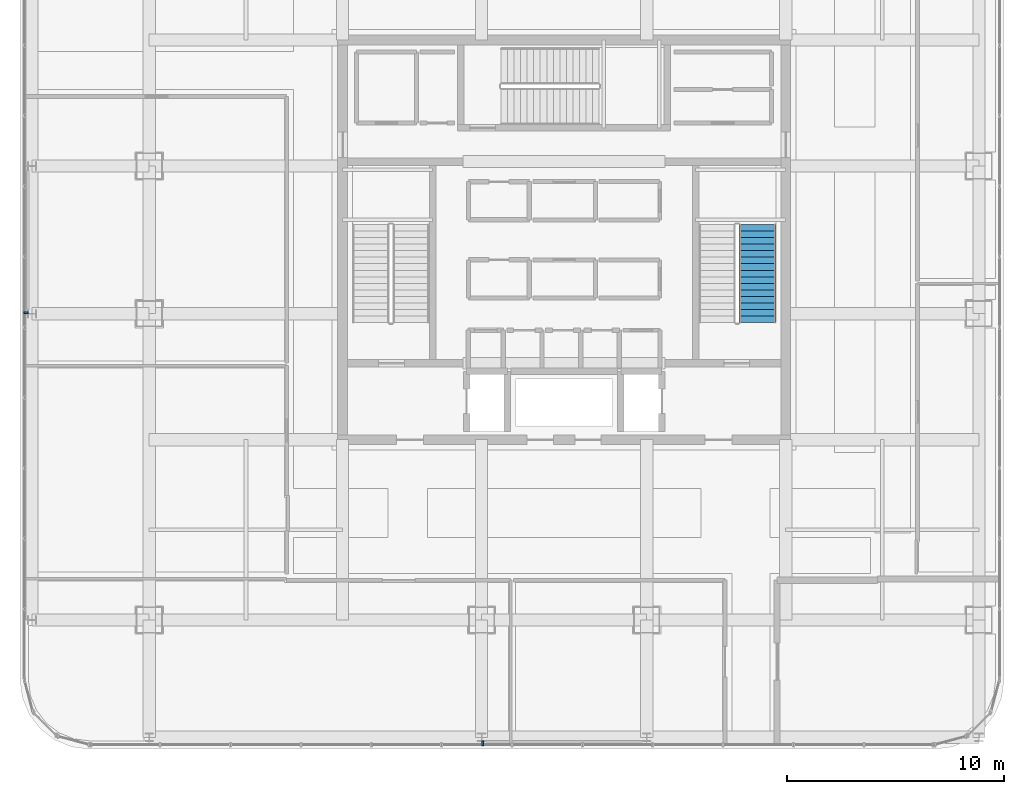
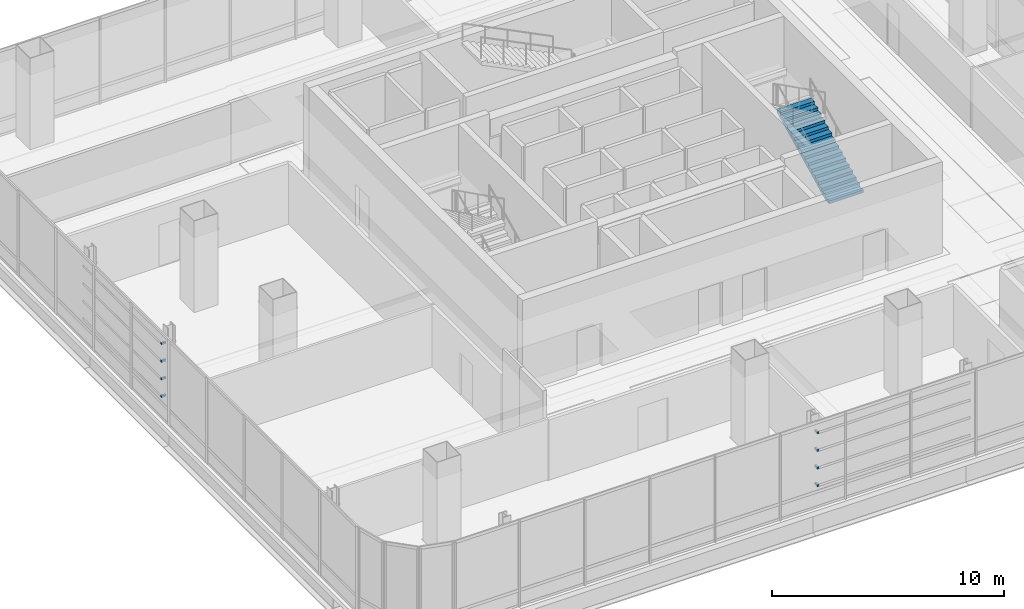
# One storey, part 39 of 45: 8 discrete accessories, 1 stair flight, 1 element without a shape of its own.
"""IFC4 building model written with IfcOpenShell, lengths in metres."""

from ifc_helpers import new_model, si_unit, direction, frame, origin, origin_2d, place, context, subcontext, project, spatial, polyline, rectangle, outline, extrude, material, type_object, element, aggregate, save


model = new_model("IFC4")

# Units and contexts
model_context = context("Model", 3, precision=1e-05, world=origin(), true_north=direction((0.0, 1.0)))
body_context = subcontext(model_context, "Body", "Model", "MODEL_VIEW")
ifc_project = project(units=[si_unit("LENGTHUNIT", "METRE"), si_unit("AREAUNIT", "SQUARE_METRE"), si_unit("VOLUMEUNIT", "CUBIC_METRE"), si_unit("PLANEANGLEUNIT", "RADIAN"), si_unit("MASSUNIT", "GRAM", prefix="KILO")], contexts=[model_context])

# Site, building, storey
site_placement = place(None, origin())
site = spatial("IfcSite", under=ifc_project, at=site_placement, CompositionType="ELEMENT")
building_placement = place(site_placement, origin())
building = spatial("IfcBuilding", under=site, at=building_placement, Name="Punatoya Terracotta Tower", CompositionType="ELEMENT")
storey_placement = place(building_placement, frame((0.0, 0.0, 339.0)))
storey = spatial("IfcBuildingStorey", under=building, at=storey_placement, Name="L80", CompositionType="ELEMENT", Elevation=339.0)

# Stair, stair flight
ifc_material_1 = material(Name="Concrete C40/50", Category="concrete")
stair_type = type_object("IfcStairType", Name="STR-LOB-1650", PredefinedType="HALF_TURN_STAIR", material=ifc_material_1)
stair_placement = place(storey_placement, origin())
stair = element("IfcStair", 1, at=stair_placement, inside=storey, type_object=stair_type, Name="L80 Protected Core Exit Stair ST-2", PredefinedType="HALF_TURN_STAIR")
stair_flight_type = type_object("IfcStairFlightType", Name="SFL-LOB-1650", PredefinedType="STRAIGHT", material=ifc_material_1)
stair_flight_placement = place(storey_placement, frame((8.89990234375, -3.800048828125, 0.0), z_axis=(0.0, 0.0, 1.0), x_axis=(0.0, 1.0, 0.0)))
stair_flight = element("IfcStairFlight", 2, at=stair_flight_placement, type_object=stair_flight_type, Name="ST-2 flight 1", NumberOfRisers=16, NumberOfTreads=15, PredefinedType="STRAIGHT", RiserHeight=0.15, TreadLength=0.3, context=body_context, shape_type="SweptSolid", body=[
    extrude(outline(polyline([(0.0, 0.0), (0.0, 0.14990234375), (0.300048828125, 0.14990234375), (0.300048828125, 0.300048828125), (0.60009765625, 0.300048828125), (0.60009765625, 0.449951171875), (0.89990234375, 0.449951171875), (0.89990234375, 0.60009765625), (1.199951171875, 0.60009765625), (1.199951171875, 0.75), (1.5, 0.75), (1.5, 0.89990234375), (1.800048828125, 0.89990234375), (1.800048828125, 1.050048828125), (2.10009765625, 1.050048828125), (2.10009765625, 1.199951171875), (2.39990234375, 1.199951171875), (2.39990234375, 1.35009765625), (2.699951171875, 1.35009765625), (2.699951171875, 1.5), (3.0, 1.5), (3.0, 1.64990234375), (3.300048828125, 1.64990234375), (3.300048828125, 1.800048828125), (3.60009765625, 1.800048828125), (3.60009765625, 1.949951171875), (3.89990234375, 1.949951171875), (3.89990234375, 2.10009765625), (4.199951171875, 2.10009765625), (4.199951171875, 2.25), (4.5, 2.25), (4.5, 2.39990234375), (4.5, 2.08251953125), (0.335205078125, 0.0), (0.0, 0.0)])), frame((0.0, 0.85009765625, 0.0), z_axis=(0.0, -1.0, 0.0), x_axis=(1.0, 0.0, 0.0)), (0.0, 0.0, 1.0), 1.699951171875),
])
aggregate(stair, [stair_flight])

# Discrete accessories
ifc_material_2 = material(Name="Steel S355", Category="steel")
discrete_accessory_type = type_object("IfcDiscreteAccessoryType", Name="ACC-BRK-220", PredefinedType="BRACKET", material=ifc_material_2)
for number, where, z_axis, x_axis, name in (
    (3, (-3.75, -23.16943359375, 1.099853515625), (0.0, 0.0, 1.0), (1.0, 0.0, 0.0), "L80 Baguette Louvre Column Bracket BAG-L80-S-01"),
    (4, (-3.75, -23.16943359375, 2.023193359375), (0.0, 0.0, 1.0), (1.0, 0.0, 0.0), "L80 Baguette Louvre Column Bracket BAG-L80-S-02"),
    (5, (-3.75, -23.16943359375, 2.946533203125), (0.0, 0.0, 1.0), (1.0, 0.0, 0.0), "L80 Baguette Louvre Column Bracket BAG-L80-S-03"),
    (6, (-3.75, -23.16943359375, 3.869873046875), (0.0, 0.0, 1.0), (1.0, 0.0, 0.0), "L80 Baguette Louvre Column Bracket BAG-L80-S-04"),
    (7, (-24.76953125, -3.35009765625, 1.099853515625), (0.0, 0.0, 1.0), (0.0, 1.0, 0.0), "L80 Baguette Louvre Column Bracket BAG-L80-W-01"),
    (8, (-24.76953125, -3.35009765625, 2.023193359375), (0.0, 0.0, 1.0), (0.0, 1.0, 0.0), "L80 Baguette Louvre Column Bracket BAG-L80-W-02"),
    (9, (-24.76953125, -3.35009765625, 2.946533203125), (0.0, 0.0, 1.0), (0.0, 1.0, 0.0), "L80 Baguette Louvre Column Bracket BAG-L80-W-03"),
    (10, (-24.76953125, -3.35009765625, 3.869873046875), (0.0, 0.0, 1.0), (0.0, 1.0, 0.0), "L80 Baguette Louvre Column Bracket BAG-L80-W-04"),
):
    element("IfcDiscreteAccessory", number, at=place(storey_placement, frame(where, z_axis=z_axis, x_axis=x_axis)), inside=storey, type_object=discrete_accessory_type, Name=name, PredefinedType="BRACKET", context=body_context, shape_type="SweptSolid", body=[
        extrude(rectangle(XDim=0.090087890625, YDim=0.219970703125, at=origin_2d()), origin(), (0.0, 0.0, 1.0), 0.10009765625),
    ])

save(model, "model.ifc")
